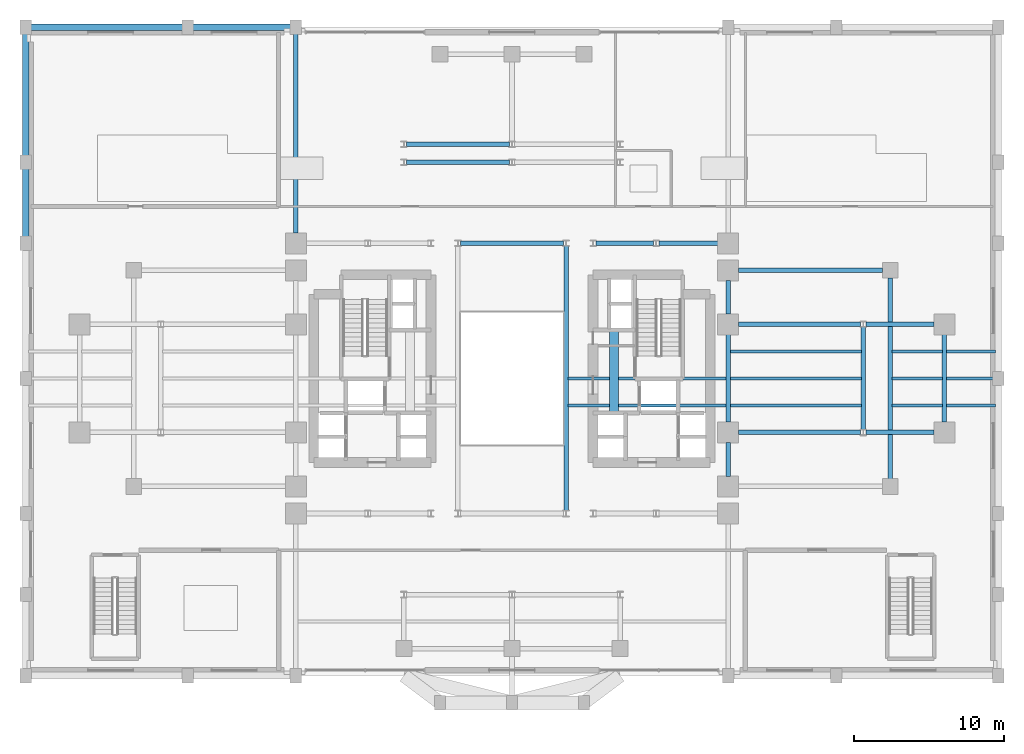
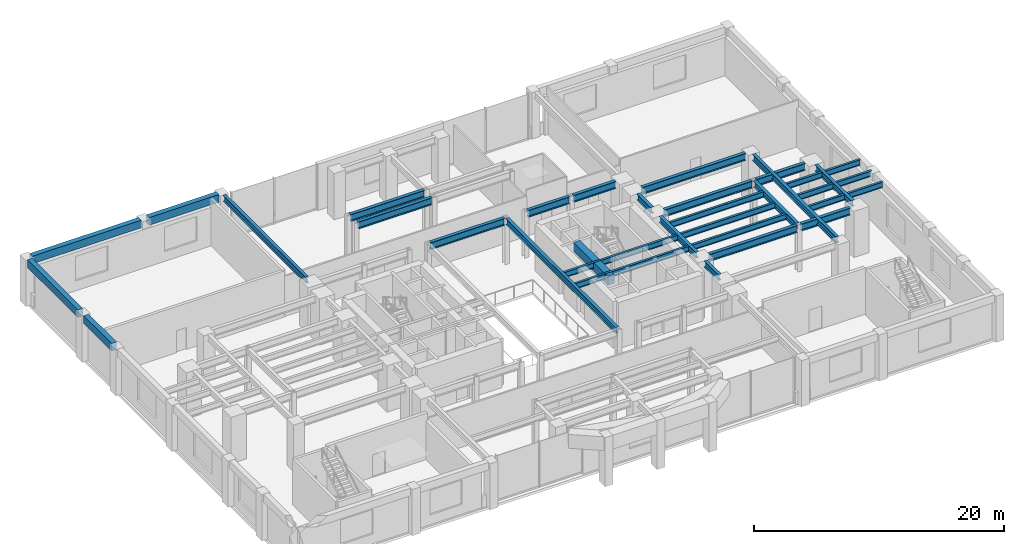
# One storey, part 7 of 14: 34 beams.
"""IFC4 building model written with IfcOpenShell, lengths in metres."""

from ifc_helpers import new_model, si_unit, direction, frame, origin, origin_2d, place, context, subcontext, project, spatial, rectangle, i_section, extrude, source, transform, mapped, material, material_profile, profile_set, type_object, element, save


model = new_model("IFC4")

# Units and contexts
model_context = context("Model", 3, precision=1e-05, world=origin(), true_north=direction((0.0, 1.0)))
body_context = subcontext(model_context, "Body", "Model", "MODEL_VIEW")
ifc_project = project(units=[si_unit("LENGTHUNIT", "METRE"), si_unit("AREAUNIT", "SQUARE_METRE"), si_unit("VOLUMEUNIT", "CUBIC_METRE"), si_unit("PLANEANGLEUNIT", "RADIAN"), si_unit("MASSUNIT", "GRAM", prefix="KILO")], contexts=[model_context])

# Site, building, storey
site_placement = place(None, origin())
site = spatial("IfcSite", under=ifc_project, at=site_placement, CompositionType="ELEMENT")
building_placement = place(site_placement, origin())
building = spatial("IfcBuilding", under=site, at=building_placement, Name="Keilestroom Media Tower", CompositionType="ELEMENT")
storey_placement = place(building_placement, frame((0.0, 0.0, 5.39990234375)))
storey = spatial("IfcBuildingStorey", under=building, at=storey_placement, Name="L01", CompositionType="ELEMENT", Elevation=5.39990234375)

# Beams
ifc_material_1 = material(Name="Precast concrete C40/50", Category="concrete")
ifc_material_profile_1 = material_profile(ifc_material_1, rectangle(XDim=0.449951171875, YDim=0.75, at=origin_2d()), Name="PC 450x750")
ifc_profile_set_1 = profile_set([ifc_material_profile_1], Name="Precast concrete C40/50")
beam_type_1 = type_object("IfcBeamType", Name="Perimeter-Spandrel-Beam-PC-450x750", PredefinedType="SPANDREL", material=ifc_profile_set_1)
shared_shape_1 = source(origin(), body_context, "Body", "SweptSolid", [
    extrude(rectangle(XDim=0.449951171875, YDim=0.75, at=origin_2d()), origin(), (0.0, 0.0, 1.0), 10.08984375),
])
beam_1_placement = place(storey_placement, frame((-32.044921875, 23.39990234375, 4.14501953125), z_axis=(1.0, 0.0, 0.0), x_axis=(0.0, 1.0, 0.0)))
element("IfcBeam", 1, at=beam_1_placement, inside=storey, type_object=beam_type_1, Name="L01 Beam SPB-1 BM-L01-EW-041", PredefinedType="SPANDREL", context=body_context, shape_type="MappedRepresentation", body=[
    mapped(shared_shape_1, transform((0.0, 0.0, 0.0), x_axis=(1.0, 0.0, 0.0), y_axis=(0.0, 1.0, 0.0), z_axis=(0.0, 0.0, 1.0), scale=1.0)),
])
shared_shape_2 = source(origin(), body_context, "Body", "SweptSolid", [
    extrude(rectangle(XDim=0.449951171875, YDim=0.75, at=origin_2d()), origin(), (0.0, 0.0, 1.0), 6.490234375),
])
beam_2_placement = place(storey_placement, frame((-21.2451171875, 23.39990234375, 4.14501953125), z_axis=(1.0, 0.0, 0.0), x_axis=(0.0, 1.0, 0.0)))
element("IfcBeam", 2, at=beam_2_placement, inside=storey, type_object=beam_type_1, Name="L01 Beam SPB-1 BM-L01-EW-042", PredefinedType="SPANDREL", context=body_context, shape_type="MappedRepresentation", body=[
    mapped(shared_shape_2, transform((0.0, 0.0, 0.0), x_axis=(1.0, 0.0, 0.0), y_axis=(0.0, 1.0, 0.0), z_axis=(0.0, 0.0, 1.0), scale=1.0)),
])
ifc_material_2 = material(Name="Concrete C70/85", Category="concrete")
ifc_material_profile_2 = material_profile(ifc_material_2, rectangle(XDim=0.60009765625, YDim=0.89990234375, at=origin_2d()), Name="RC 600x900")
ifc_profile_set_2 = profile_set([ifc_material_profile_2], Name="Concrete C70/85")
beam_type_2 = type_object("IfcBeamType", Name="Core-Coupling-Lintel-Beam-RC-600x900", PredefinedType="LINTEL", material=ifc_profile_set_2)
shared_shape_3 = source(origin(), body_context, "Body", "SweptSolid", [
    extrude(rectangle(XDim=0.60009765625, YDim=0.89990234375, at=origin_2d()), origin(), (0.0, 0.0, 1.0), 5.52001953125),
])
beam_3_placement = place(storey_placement, frame((6.800048828125, -2.300048828125, 4.070068359375), z_axis=(0.0, 1.0, 0.0), x_axis=(-1.0, 0.0, 0.0)))
element("IfcBeam", 3, at=beam_3_placement, inside=storey, type_object=beam_type_2, Name="L01 Beam CLB-1 CLB-L01-E", PredefinedType="LINTEL", context=body_context, shape_type="MappedRepresentation", body=[
    mapped(shared_shape_3, transform((0.0, 0.0, 0.0), x_axis=(1.0, 0.0, 0.0), y_axis=(0.0, 1.0, 0.0), z_axis=(0.0, 0.0, 1.0), scale=1.0)),
])
shared_shape_4 = source(origin(), body_context, "Body", "SweptSolid", [
    extrude(rectangle(XDim=0.449951171875, YDim=0.75, at=origin_2d()), origin(), (0.0, 0.0, 1.0), 4.489990234375),
])
beam_4_placement = place(storey_placement, frame((-32.39990234375, 9.455078125, 4.14501953125), z_axis=(0.0, 1.0, 0.0), x_axis=(-1.0, 0.0, 0.0)))
element("IfcBeam", 4, at=beam_4_placement, inside=storey, type_object=beam_type_1, Name="L01 Beam SPB-1 BM-L01-NS-049", PredefinedType="SPANDREL", context=body_context, shape_type="MappedRepresentation", body=[
    mapped(shared_shape_4, transform((0.0, 0.0, 0.0), x_axis=(1.0, 0.0, 0.0), y_axis=(0.0, 1.0, 0.0), z_axis=(0.0, 0.0, 1.0), scale=1.0)),
])
shared_shape_5 = source(origin(), body_context, "Body", "SweptSolid", [
    extrude(rectangle(XDim=0.449951171875, YDim=0.75, at=origin_2d()), origin(), (0.0, 0.0, 1.0), 8.090087890625),
])
beam_5_placement = place(storey_placement, frame((-32.39990234375, 14.85498046875, 4.14501953125), z_axis=(0.0, 1.0, 0.0), x_axis=(-1.0, 0.0, 0.0)))
element("IfcBeam", 5, at=beam_5_placement, inside=storey, type_object=beam_type_1, Name="L01 Beam SPB-1 BM-L01-NS-050", PredefinedType="SPANDREL", context=body_context, shape_type="MappedRepresentation", body=[
    mapped(shared_shape_5, transform((0.0, 0.0, 0.0), x_axis=(1.0, 0.0, 0.0), y_axis=(0.0, 1.0, 0.0), z_axis=(0.0, 0.0, 1.0), scale=1.0)),
])
ifc_material_3 = material(Name="Steel S355", Category="steel")
ifc_material_profile_3 = material_profile(ifc_material_3, i_section(OverallWidth=0.300048828125, OverallDepth=0.60009765625, WebThickness=0.013427734375, FlangeThickness=0.030029296875, at=origin_2d()), Name="HEB 600")
ifc_profile_set_3 = profile_set([ifc_material_profile_3], Name="Steel S355")
beam_type_3 = type_object("IfcBeamType", Name="Primary-Structural-Girder-HEB-600", PredefinedType="BEAM", material=ifc_profile_set_3)
shared_shape_6 = source(origin(), body_context, "Body", "SweptSolid", [
    extrude(i_section(OverallWidth=0.300048828125, OverallDepth=0.60009765625, WebThickness=0.013427734375, FlangeThickness=0.030029296875, at=origin_2d()), origin(), (0.0, 0.0, 1.0), 5.83984375),
])
for number, where, z_axis, x_axis, name in (
    (6, (14.39990234375, -2.919921875, 4.22021484375), (0.0, 1.0, 0.0), (-1.0, 0.0, 0.0), "L01 Beam BG-4 BM-L01-NS-078"),
    (7, (28.800048828125, -2.919921875, 4.22021484375), (0.0, 1.0, 0.0), (-1.0, 0.0, 0.0), "L01 Beam BG-4 BM-L01-NS-084"),
):
    element("IfcBeam", number, at=place(storey_placement, frame(where, z_axis=z_axis, x_axis=x_axis)), inside=storey, type_object=beam_type_3, Name=name, PredefinedType="BEAM", context=body_context, shape_type="MappedRepresentation", body=[
        mapped(shared_shape_6, transform((0.0, 0.0, 0.0), x_axis=(1.0, 0.0, 0.0), y_axis=(0.0, 1.0, 0.0), z_axis=(0.0, 0.0, 1.0), scale=1.0)),
    ])
shared_shape_7 = source(origin(), body_context, "Body", "SweptSolid", [
    extrude(i_section(OverallWidth=0.300048828125, OverallDepth=0.60009765625, WebThickness=0.013427734375, FlangeThickness=0.030029296875, at=origin_2d()), origin(), (0.0, 0.0, 1.0), 13.39013671875),
])
beam_6_placement = place(storey_placement, frame((25.199951171875, -6.695068359375, 4.22021484375), z_axis=(0.0, 1.0, 0.0), x_axis=(-1.0, 0.0, 0.0)))
element("IfcBeam", 8, at=beam_6_placement, inside=storey, type_object=beam_type_3, Name="L01 Beam BG-4 BM-L01-NS-083", PredefinedType="BEAM", context=body_context, shape_type="MappedRepresentation", body=[
    mapped(shared_shape_7, transform((0.0, 0.0, 0.0), x_axis=(1.0, 0.0, 0.0), y_axis=(0.0, 1.0, 0.0), z_axis=(0.0, 0.0, 1.0), scale=1.0)),
])
shared_shape_8 = source(origin(), body_context, "Body", "SweptSolid", [
    extrude(i_section(OverallWidth=0.300048828125, OverallDepth=0.60009765625, WebThickness=0.013427734375, FlangeThickness=0.030029296875, at=origin_2d()), origin(), (0.0, 0.0, 1.0), 6.82421875),
])
beam_7_placement = place(storey_placement, frame((23.39990234375, -3.412109375, 4.22021484375), z_axis=(0.0, 1.0, 0.0), x_axis=(-1.0, 0.0, 0.0)))
element("IfcBeam", 9, at=beam_7_placement, inside=storey, type_object=beam_type_3, Name="L01 Beam BG-4 BM-L01-NS-082", PredefinedType="BEAM", context=body_context, shape_type="MappedRepresentation", body=[
    mapped(shared_shape_8, transform((0.0, 0.0, 0.0), x_axis=(1.0, 0.0, 0.0), y_axis=(0.0, 1.0, 0.0), z_axis=(0.0, 0.0, 1.0), scale=1.0)),
])
shared_shape_9 = source(origin(), body_context, "Body", "SweptSolid", [
    extrude(i_section(OverallWidth=0.300048828125, OverallDepth=0.60009765625, WebThickness=0.013427734375, FlangeThickness=0.030029296875, at=origin_2d()), origin(), (0.0, 0.0, 1.0), 2.239990234375),
])
for number, where, z_axis, x_axis, name in (
    (10, (14.39990234375, -6.52001953125, 4.22021484375), (0.0, 1.0, 0.0), (-1.0, 0.0, 0.0), "L01 Beam BG-4 BM-L01-NS-077"),
    (11, (14.39990234375, 4.280029296875, 4.22021484375), (0.0, 1.0, 0.0), (-1.0, 0.0, 0.0), "L01 Beam BG-4 BM-L01-NS-079"),
):
    element("IfcBeam", number, at=place(storey_placement, frame(where, z_axis=z_axis, x_axis=x_axis)), inside=storey, type_object=beam_type_3, Name=name, PredefinedType="BEAM", context=body_context, shape_type="MappedRepresentation", body=[
        mapped(shared_shape_9, transform((0.0, 0.0, 0.0), x_axis=(1.0, 0.0, 0.0), y_axis=(0.0, 1.0, 0.0), z_axis=(0.0, 0.0, 1.0), scale=1.0)),
    ])
shared_shape_10 = source(origin(), body_context, "Body", "SweptSolid", [
    extrude(i_section(OverallWidth=0.300048828125, OverallDepth=0.60009765625, WebThickness=0.013427734375, FlangeThickness=0.030029296875, at=origin_2d()), origin(), (0.0, 0.0, 1.0), 13.26513671875),
])
beam_8_placement = place(storey_placement, frame((-14.39990234375, 9.679931640625, 4.22021484375), z_axis=(0.0, 1.0, 0.0), x_axis=(-1.0, 0.0, 0.0)))
element("IfcBeam", 12, at=beam_8_placement, inside=storey, type_object=beam_type_3, Name="L01 Beam BG-4 BM-L01-NS-060", PredefinedType="BEAM", context=body_context, shape_type="MappedRepresentation", body=[
    mapped(shared_shape_10, transform((0.0, 0.0, 0.0), x_axis=(1.0, 0.0, 0.0), y_axis=(0.0, 1.0, 0.0), z_axis=(0.0, 0.0, 1.0), scale=1.0)),
])
shared_shape_11 = source(origin(), body_context, "Body", "SweptSolid", [
    extrude(i_section(OverallWidth=0.300048828125, OverallDepth=0.60009765625, WebThickness=0.013427734375, FlangeThickness=0.030029296875, at=origin_2d()), origin(), (0.0, 0.0, 1.0), 17.6240234375),
])
beam_9_placement = place(storey_placement, frame((3.60009765625, -8.81201171875, 4.22021484375), z_axis=(0.0, 1.0, 0.0), x_axis=(-1.0, 0.0, 0.0)))
element("IfcBeam", 13, at=beam_9_placement, inside=storey, type_object=beam_type_3, Name="L01 Beam BG-4 BM-L01-NS-070", PredefinedType="BEAM", context=body_context, shape_type="MappedRepresentation", body=[
    mapped(shared_shape_11, transform((0.0, 0.0, 0.0), x_axis=(1.0, 0.0, 0.0), y_axis=(0.0, 1.0, 0.0), z_axis=(0.0, 0.0, 1.0), scale=1.0)),
])
ifc_material_4 = material(Name="Steel S460", Category="steel")
ifc_material_profile_4 = material_profile(ifc_material_4, i_section(OverallWidth=0.300048828125, OverallDepth=0.699951171875, WebThickness=0.014404296875, FlangeThickness=0.031982421875, at=origin_2d()), Name="HEB 700")
ifc_profile_set_4 = profile_set([ifc_material_profile_4], Name="Steel S460")
beam_type_4 = type_object("IfcBeamType", Name="Primary-Structural-Girder-HEB-700", PredefinedType="BEAM", material=ifc_profile_set_4)
shared_shape_12 = source(origin(), body_context, "Body", "SweptSolid", [
    extrude(i_section(OverallWidth=0.300048828125, OverallDepth=0.699951171875, WebThickness=0.014404296875, FlangeThickness=0.031982421875, at=origin_2d()), origin(), (0.0, 0.0, 1.0), 6.833984375),
])
for number, where, z_axis, x_axis, name in (
    (14, (-3.4169921875, 9.0, 4.170166015625), (1.0, 0.0, 0.0), (0.0, 1.0, 0.0), "L01 Beam BG-2 BM-L01-EW-031"),
    (15, (-7.01708984375, 14.39990234375, 4.170166015625), (1.0, 0.0, 0.0), (0.0, 1.0, 0.0), "L01 Beam BG-2 BM-L01-EW-035"),
    (16, (-7.01708984375, 15.60009765625, 4.170166015625), (1.0, 0.0, 0.0), (0.0, 1.0, 0.0), "L01 Beam BG-2 BM-L01-EW-037"),
):
    element("IfcBeam", number, at=place(storey_placement, frame(where, z_axis=z_axis, x_axis=x_axis)), inside=storey, type_object=beam_type_4, Name=name, PredefinedType="BEAM", context=body_context, shape_type="MappedRepresentation", body=[
        mapped(shared_shape_12, transform((0.0, 0.0, 0.0), x_axis=(1.0, 0.0, 0.0), y_axis=(0.0, 1.0, 0.0), z_axis=(0.0, 0.0, 1.0), scale=1.0)),
    ])
shared_shape_13 = source(origin(), body_context, "Body", "SweptSolid", [
    extrude(i_section(OverallWidth=0.300048828125, OverallDepth=0.699951171875, WebThickness=0.014404296875, FlangeThickness=0.031982421875, at=origin_2d()), origin(), (0.0, 0.0, 1.0), 3.93701171875),
])
beam_10_placement = place(storey_placement, frame((9.782958984375, 9.0, 4.170166015625), z_axis=(1.0, 0.0, 0.0), x_axis=(0.0, 1.0, 0.0)))
element("IfcBeam", 17, at=beam_10_placement, inside=storey, type_object=beam_type_4, Name="L01 Beam BG-2 BM-L01-EW-034", PredefinedType="BEAM", context=body_context, shape_type="MappedRepresentation", body=[
    mapped(shared_shape_13, transform((0.0, 0.0, 0.0), x_axis=(1.0, 0.0, 0.0), y_axis=(0.0, 1.0, 0.0), z_axis=(0.0, 0.0, 1.0), scale=1.0)),
])
shared_shape_14 = source(origin(), body_context, "Body", "SweptSolid", [
    extrude(i_section(OverallWidth=0.300048828125, OverallDepth=0.699951171875, WebThickness=0.014404296875, FlangeThickness=0.031982421875, at=origin_2d()), origin(), (0.0, 0.0, 1.0), 3.833984375),
])
beam_11_placement = place(storey_placement, frame((5.5830078125, 9.0, 4.170166015625), z_axis=(1.0, 0.0, 0.0), x_axis=(0.0, 1.0, 0.0)))
element("IfcBeam", 18, at=beam_11_placement, inside=storey, type_object=beam_type_4, Name="L01 Beam BG-2 BM-L01-EW-033", PredefinedType="BEAM", context=body_context, shape_type="MappedRepresentation", body=[
    mapped(shared_shape_14, transform((0.0, 0.0, 0.0), x_axis=(1.0, 0.0, 0.0), y_axis=(0.0, 1.0, 0.0), z_axis=(0.0, 0.0, 1.0), scale=1.0)),
])
shared_shape_15 = source(origin(), body_context, "Body", "SweptSolid", [
    extrude(i_section(OverallWidth=0.300048828125, OverallDepth=0.699951171875, WebThickness=0.014404296875, FlangeThickness=0.031982421875, at=origin_2d()), origin(), (0.0, 0.0, 1.0), 9.614990234375),
])
beam_12_placement = place(storey_placement, frame((15.080078125, 7.199951171875, 4.170166015625), z_axis=(1.0, 0.0, 0.0), x_axis=(0.0, 1.0, 0.0)))
element("IfcBeam", 19, at=beam_12_placement, inside=storey, type_object=beam_type_4, Name="L01 Beam BG-2 BM-L01-EW-027", PredefinedType="BEAM", context=body_context, shape_type="MappedRepresentation", body=[
    mapped(shared_shape_15, transform((0.0, 0.0, 0.0), x_axis=(1.0, 0.0, 0.0), y_axis=(0.0, 1.0, 0.0), z_axis=(0.0, 0.0, 1.0), scale=1.0)),
])
shared_shape_16 = source(origin(), body_context, "Body", "SweptSolid", [
    extrude(i_section(OverallWidth=0.300048828125, OverallDepth=0.699951171875, WebThickness=0.014404296875, FlangeThickness=0.031982421875, at=origin_2d()), origin(), (0.0, 0.0, 1.0), 4.537109375),
])
for number, where, z_axis, x_axis, name in (
    (20, (23.5830078125, -3.60009765625, 4.170166015625), (1.0, 0.0, 0.0), (0.0, 1.0, 0.0), "L01 Beam BG-2 BM-L01-EW-021"),
    (21, (23.5830078125, 3.60009765625, 4.170166015625), (1.0, 0.0, 0.0), (0.0, 1.0, 0.0), "L01 Beam BG-2 BM-L01-EW-025"),
):
    element("IfcBeam", number, at=place(storey_placement, frame(where, z_axis=z_axis, x_axis=x_axis)), inside=storey, type_object=beam_type_4, Name=name, PredefinedType="BEAM", context=body_context, shape_type="MappedRepresentation", body=[
        mapped(shared_shape_16, transform((0.0, 0.0, 0.0), x_axis=(1.0, 0.0, 0.0), y_axis=(0.0, 1.0, 0.0), z_axis=(0.0, 0.0, 1.0), scale=1.0)),
    ])
shared_shape_17 = source(origin(), body_context, "Body", "SweptSolid", [
    extrude(i_section(OverallWidth=0.300048828125, OverallDepth=0.699951171875, WebThickness=0.014404296875, FlangeThickness=0.031982421875, at=origin_2d()), origin(), (0.0, 0.0, 1.0), 8.136962890625),
])
for number, where, z_axis, x_axis, name in (
    (22, (15.080078125, -3.60009765625, 4.170166015625), (1.0, 0.0, 0.0), (0.0, 1.0, 0.0), "L01 Beam BG-2 BM-L01-EW-020"),
    (23, (15.080078125, 3.60009765625, 4.170166015625), (1.0, 0.0, 0.0), (0.0, 1.0, 0.0), "L01 Beam BG-2 BM-L01-EW-024"),
):
    element("IfcBeam", number, at=place(storey_placement, frame(where, z_axis=z_axis, x_axis=x_axis)), inside=storey, type_object=beam_type_4, Name=name, PredefinedType="BEAM", context=body_context, shape_type="MappedRepresentation", body=[
        mapped(shared_shape_17, transform((0.0, 0.0, 0.0), x_axis=(1.0, 0.0, 0.0), y_axis=(0.0, 1.0, 0.0), z_axis=(0.0, 0.0, 1.0), scale=1.0)),
    ])
ifc_material_profile_5 = material_profile(ifc_material_3, i_section(OverallWidth=0.2099609375, OverallDepth=0.550048828125, WebThickness=0.010986328125, FlangeThickness=0.01708984375, at=origin_2d()), Name="IPE 550")
ifc_profile_set_5 = profile_set([ifc_material_profile_5], Name="Steel S355")
beam_type_5 = type_object("IfcBeamType", Name="Secondary-Floor-Joist-IPE-550", PredefinedType="JOIST", material=ifc_profile_set_5)
shared_shape_18 = source(origin(), body_context, "Body", "SweptSolid", [
    extrude(i_section(OverallWidth=0.2099609375, OverallDepth=0.550048828125, WebThickness=0.010986328125, FlangeThickness=0.01708984375, at=origin_2d()), origin(), (0.0, 0.0, 1.0), 3.26513671875),
])
for number, where, z_axis, x_axis, name in (
    (24, (28.929931640625, -1.800048828125, 4.2451171875), (1.0, 0.0, 0.0), (0.0, 1.0, 0.0), "L01 Beam BJ-1 JST-L01-103"),
    (25, (28.929931640625, 0.0, 4.2451171875), (1.0, 0.0, 0.0), (0.0, 1.0, 0.0), "L01 Beam BJ-1 JST-L01-112"),
    (26, (28.929931640625, 1.800048828125, 4.2451171875), (1.0, 0.0, 0.0), (0.0, 1.0, 0.0), "L01 Beam BJ-1 JST-L01-121"),
):
    element("IfcBeam", number, at=place(storey_placement, frame(where, z_axis=z_axis, x_axis=x_axis)), inside=storey, type_object=beam_type_5, Name=name, PredefinedType="JOIST", context=body_context, shape_type="MappedRepresentation", body=[
        mapped(shared_shape_18, transform((0.0, 0.0, 0.0), x_axis=(1.0, 0.0, 0.0), y_axis=(0.0, 1.0, 0.0), z_axis=(0.0, 0.0, 1.0), scale=1.0)),
    ])
shared_shape_19 = source(origin(), body_context, "Body", "SweptSolid", [
    extrude(i_section(OverallWidth=0.2099609375, OverallDepth=0.550048828125, WebThickness=0.010986328125, FlangeThickness=0.01708984375, at=origin_2d()), origin(), (0.0, 0.0, 1.0), 3.33984375),
])
for number, where, z_axis, x_axis, name in (
    (27, (25.330078125, -1.800048828125, 4.2451171875), (1.0, 0.0, 0.0), (0.0, 1.0, 0.0), "L01 Beam BJ-1 JST-L01-102"),
    (28, (25.330078125, 0.0, 4.2451171875), (1.0, 0.0, 0.0), (0.0, 1.0, 0.0), "L01 Beam BJ-1 JST-L01-111"),
    (29, (25.330078125, 1.800048828125, 4.2451171875), (1.0, 0.0, 0.0), (0.0, 1.0, 0.0), "L01 Beam BJ-1 JST-L01-120"),
):
    element("IfcBeam", number, at=place(storey_placement, frame(where, z_axis=z_axis, x_axis=x_axis)), inside=storey, type_object=beam_type_5, Name=name, PredefinedType="JOIST", context=body_context, shape_type="MappedRepresentation", body=[
        mapped(shared_shape_19, transform((0.0, 0.0, 0.0), x_axis=(1.0, 0.0, 0.0), y_axis=(0.0, 1.0, 0.0), z_axis=(0.0, 0.0, 1.0), scale=1.0)),
    ])
shared_shape_20 = source(origin(), body_context, "Body", "SweptSolid", [
    extrude(i_section(OverallWidth=0.2099609375, OverallDepth=0.550048828125, WebThickness=0.010986328125, FlangeThickness=0.01708984375, at=origin_2d()), origin(), (0.0, 0.0, 1.0), 8.739990234375),
])
for number, where, z_axis, x_axis, name in (
    (30, (14.530029296875, -1.800048828125, 4.2451171875), (1.0, 0.0, 0.0), (0.0, 1.0, 0.0), "L01 Beam BJ-1 JST-L01-101"),
    (31, (14.530029296875, 0.0, 4.2451171875), (1.0, 0.0, 0.0), (0.0, 1.0, 0.0), "L01 Beam BJ-1 JST-L01-110"),
    (32, (14.530029296875, 1.800048828125, 4.2451171875), (1.0, 0.0, 0.0), (0.0, 1.0, 0.0), "L01 Beam BJ-1 JST-L01-119"),
):
    element("IfcBeam", number, at=place(storey_placement, frame(where, z_axis=z_axis, x_axis=x_axis)), inside=storey, type_object=beam_type_5, Name=name, PredefinedType="JOIST", context=body_context, shape_type="MappedRepresentation", body=[
        mapped(shared_shape_20, transform((0.0, 0.0, 0.0), x_axis=(1.0, 0.0, 0.0), y_axis=(0.0, 1.0, 0.0), z_axis=(0.0, 0.0, 1.0), scale=1.0)),
    ])
shared_shape_21 = source(origin(), body_context, "Body", "SweptSolid", [
    extrude(i_section(OverallWidth=0.2099609375, OverallDepth=0.550048828125, WebThickness=0.010986328125, FlangeThickness=0.01708984375, at=origin_2d()), origin(), (0.0, 0.0, 1.0), 10.5400390625),
])
for number, where, z_axis, x_axis, name in (
    (33, (3.72998046875, -1.800048828125, 4.2451171875), (1.0, 0.0, 0.0), (0.0, 1.0, 0.0), "L01 Beam BJ-1 JST-L01-100"),
    (34, (3.72998046875, 0.0, 4.2451171875), (1.0, 0.0, 0.0), (0.0, 1.0, 0.0), "L01 Beam BJ-1 JST-L01-109"),
):
    element("IfcBeam", number, at=place(storey_placement, frame(where, z_axis=z_axis, x_axis=x_axis)), inside=storey, type_object=beam_type_5, Name=name, PredefinedType="JOIST", context=body_context, shape_type="MappedRepresentation", body=[
        mapped(shared_shape_21, transform((0.0, 0.0, 0.0), x_axis=(1.0, 0.0, 0.0), y_axis=(0.0, 1.0, 0.0), z_axis=(0.0, 0.0, 1.0), scale=1.0)),
    ])

save(model, "model.ifc")
